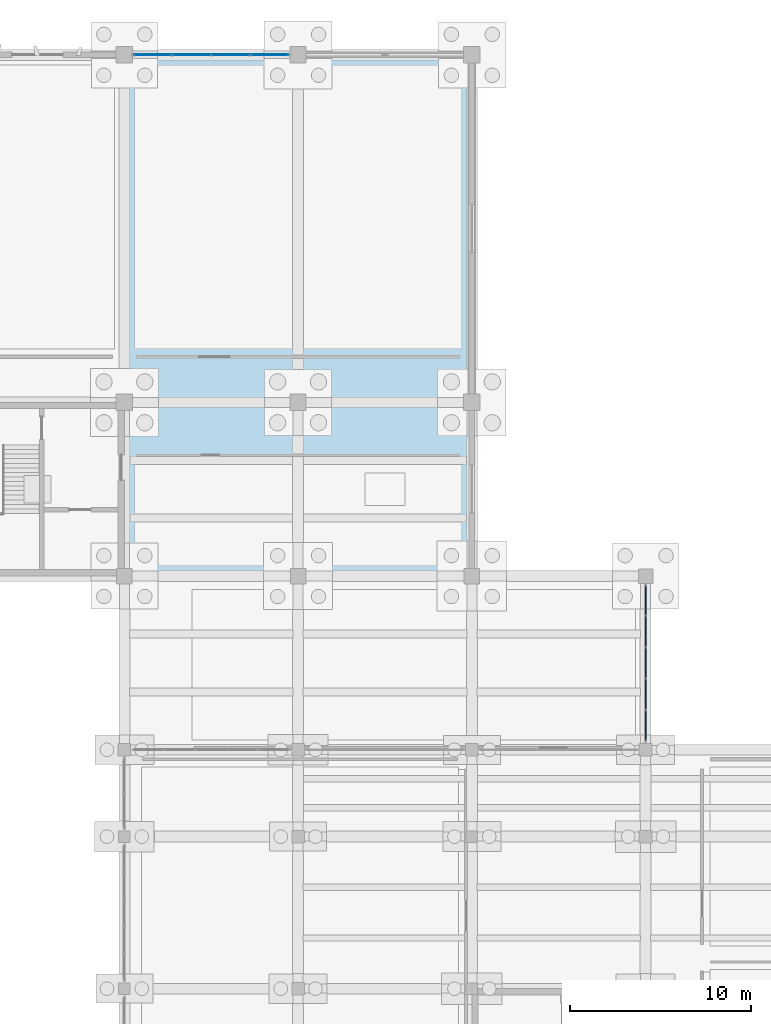
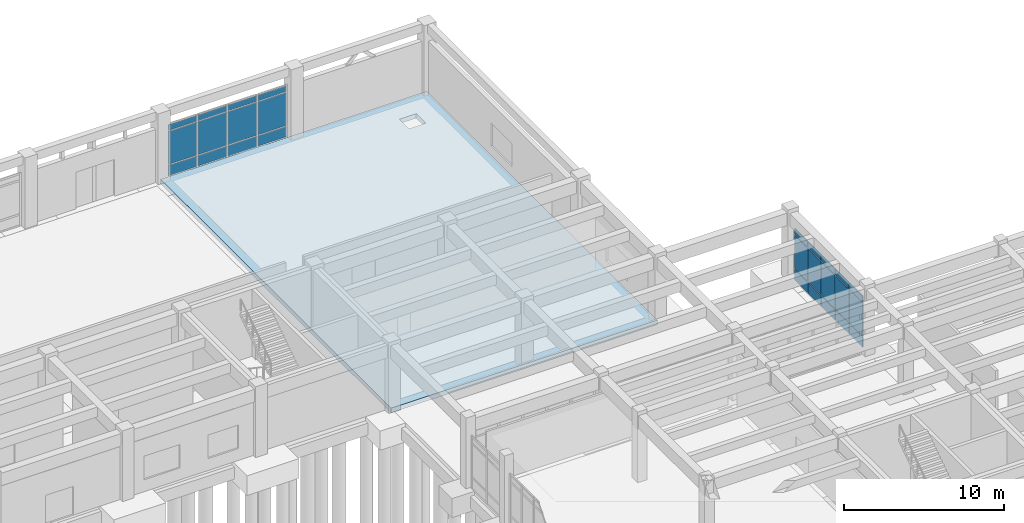
# One storey, part 66 of 102: 27 plates, 1 slab, 2 elements without a shape of their own.
"""IFC4 building model written with IfcOpenShell, lengths in metres."""

from ifc_helpers import new_model, si_unit, direction, frame, origin, origin_2d, place, context, subcontext, project, spatial, polyline, rectangle, outline, extrude, material, layer, layer_set, type_object, element, aggregate, save


model = new_model("IFC4")

# Units and contexts
model_context = context("Model", 3, precision=1e-05, world=origin(), true_north=direction((0.0, 1.0)))
body_context = subcontext(model_context, "Body", "Model", "MODEL_VIEW")
ifc_project = project(units=[si_unit("LENGTHUNIT", "METRE"), si_unit("AREAUNIT", "SQUARE_METRE"), si_unit("VOLUMEUNIT", "CUBIC_METRE"), si_unit("PLANEANGLEUNIT", "RADIAN"), si_unit("MASSUNIT", "GRAM", prefix="KILO")], contexts=[model_context])

# Site, building, storey
site_placement = place(None, origin())
site = spatial("IfcSite", under=ifc_project, at=site_placement, CompositionType="ELEMENT")
building_placement = place(site_placement, origin())
building = spatial("IfcBuilding", under=site, at=building_placement, Name="Kolvemor Railside Polytechnic", CompositionType="ELEMENT")
storey_placement = place(building_placement, origin())
storey = spatial("IfcBuildingStorey", under=building, at=storey_placement, Name="L00", CompositionType="ELEMENT", Elevation=0.0)

# Curtain wall, plates
ifc_material_1 = material(Name="Anodised marine aluminium and laminated low-E glass", Category="aluminium")
ifc_layer_1 = layer(ifc_material_1, 0.179931640625, Name="CW-UNIT-WKS")
ifc_layer_set_1 = layer_set([ifc_layer_1], Name="Anodised marine aluminium and laminated low-E glass")
curtain_wall_type_1 = type_object("IfcCurtainWallType", Name="CW-UNIT-WKS", PredefinedType="USERDEFINED", material=ifc_layer_set_1)
curtain_wall_1_placement = place(storey_placement, origin())
curtain_wall_1 = element("IfcCurtainWall", 1, at=curtain_wall_1_placement, inside=storey, type_object=curtain_wall_type_1, Name="Curtain Wall L00-026", ObjectType="UNITISED CURTAIN WALL", PredefinedType="USERDEFINED")
ifc_material_2 = material(Name="Hurricane-laminated solar-control low-E glass", Category="glass")
ifc_layer_2 = layer(ifc_material_2, 0.048095703125, Name="CWP-GLZ-14")
ifc_layer_set_2 = layer_set([ifc_layer_2], Name="Hurricane-laminated solar-control low-E glass")
plate_type_1 = type_object("IfcPlateType", Name="CWP-GLZ-14", PredefinedType="CURTAIN_PANEL", material=ifc_layer_set_2)
plate_1_placement = place(storey_placement, frame((142.4287109375, 120.0, 0.074951171875), z_axis=(0.0, 0.0, 1.0), x_axis=(-1.0, 0.0, 0.0)))
plate_1 = element("IfcPlate", 2, at=plate_1_placement, type_object=plate_type_1, Name="CW-WKS panel 1.1", PredefinedType="CURTAIN_PANEL", context=body_context, shape_type="SweptSolid", body=[
    extrude(rectangle(XDim=2.052490234375, YDim=0.048095703125, at=origin_2d()), origin(), (0.0, 0.0, 1.0), 0.78759765625),
])
plate_2_placement = place(storey_placement, frame((142.4287109375, 120.0, 0.9375), z_axis=(0.0, 0.0, 1.0), x_axis=(-1.0, 0.0, 0.0)))
plate_2 = element("IfcPlate", 3, at=plate_2_placement, type_object=plate_type_1, Name="CW-WKS panel 1.2", PredefinedType="CURTAIN_PANEL", context=body_context, shape_type="SweptSolid", body=[
    extrude(rectangle(XDim=2.052490234375, YDim=0.048095703125, at=origin_2d()), origin(), (0.0, 0.0, 1.0), 2.514892578125),
])
plate_3_placement = place(storey_placement, frame((142.4287109375, 120.0, 3.527587890625), z_axis=(0.0, 0.0, 1.0), x_axis=(-1.0, 0.0, 0.0)))
plate_3 = element("IfcPlate", 4, at=plate_3_placement, type_object=plate_type_1, Name="CW-WKS panel 1.3", PredefinedType="CURTAIN_PANEL", context=body_context, shape_type="SweptSolid", body=[
    extrude(rectangle(XDim=2.052490234375, YDim=0.048095703125, at=origin_2d()), origin(), (0.0, 0.0, 1.0), 0.4375),
])
plate_4_placement = place(storey_placement, frame((140.282470703125, 120.0, 0.074951171875), z_axis=(0.0, 0.0, 1.0), x_axis=(-1.0, 0.0, 0.0)))
plate_4 = element("IfcPlate", 5, at=plate_4_placement, type_object=plate_type_1, Name="CW-WKS panel 2.1", PredefinedType="CURTAIN_PANEL", context=body_context, shape_type="SweptSolid", body=[
    extrude(rectangle(XDim=2.090087890625, YDim=0.048095703125, at=origin_2d()), origin(), (0.0, 0.0, 1.0), 0.78759765625),
])
plate_5_placement = place(storey_placement, frame((140.282470703125, 120.0, 0.9375), z_axis=(0.0, 0.0, 1.0), x_axis=(-1.0, 0.0, 0.0)))
plate_5 = element("IfcPlate", 6, at=plate_5_placement, type_object=plate_type_1, Name="CW-WKS panel 2.2", PredefinedType="CURTAIN_PANEL", context=body_context, shape_type="SweptSolid", body=[
    extrude(rectangle(XDim=2.090087890625, YDim=0.048095703125, at=origin_2d()), origin(), (0.0, 0.0, 1.0), 2.514892578125),
])
plate_6_placement = place(storey_placement, frame((140.282470703125, 120.0, 3.527587890625), z_axis=(0.0, 0.0, 1.0), x_axis=(-1.0, 0.0, 0.0)))
plate_6 = element("IfcPlate", 7, at=plate_6_placement, type_object=plate_type_1, Name="CW-WKS panel 2.3", PredefinedType="CURTAIN_PANEL", context=body_context, shape_type="SweptSolid", body=[
    extrude(rectangle(XDim=2.090087890625, YDim=0.048095703125, at=origin_2d()), origin(), (0.0, 0.0, 1.0), 0.4375),
])
plate_7_placement = place(storey_placement, frame((138.117431640625, 120.0, 0.074951171875), z_axis=(0.0, 0.0, 1.0), x_axis=(-1.0, 0.0, 0.0)))
plate_7 = element("IfcPlate", 8, at=plate_7_placement, type_object=plate_type_1, Name="CW-WKS panel 3.1", PredefinedType="CURTAIN_PANEL", context=body_context, shape_type="SweptSolid", body=[
    extrude(rectangle(XDim=2.090087890625, YDim=0.048095703125, at=origin_2d()), origin(), (0.0, 0.0, 1.0), 0.78759765625),
])
plate_8_placement = place(storey_placement, frame((138.117431640625, 120.0, 0.9375), z_axis=(0.0, 0.0, 1.0), x_axis=(-1.0, 0.0, 0.0)))
plate_8 = element("IfcPlate", 9, at=plate_8_placement, type_object=plate_type_1, Name="CW-WKS panel 3.2", PredefinedType="CURTAIN_PANEL", context=body_context, shape_type="SweptSolid", body=[
    extrude(rectangle(XDim=2.090087890625, YDim=0.048095703125, at=origin_2d()), origin(), (0.0, 0.0, 1.0), 2.514892578125),
])
plate_9_placement = place(storey_placement, frame((138.117431640625, 120.0, 3.527587890625), z_axis=(0.0, 0.0, 1.0), x_axis=(-1.0, 0.0, 0.0)))
plate_9 = element("IfcPlate", 10, at=plate_9_placement, type_object=plate_type_1, Name="CW-WKS panel 3.3", PredefinedType="CURTAIN_PANEL", context=body_context, shape_type="SweptSolid", body=[
    extrude(rectangle(XDim=2.090087890625, YDim=0.048095703125, at=origin_2d()), origin(), (0.0, 0.0, 1.0), 0.4375),
])
plate_10_placement = place(storey_placement, frame((135.97119140625, 120.0, 0.074951171875), z_axis=(0.0, 0.0, 1.0), x_axis=(-1.0, 0.0, 0.0)))
plate_10 = element("IfcPlate", 11, at=plate_10_placement, type_object=plate_type_1, Name="CW-WKS panel 4.1", PredefinedType="CURTAIN_PANEL", context=body_context, shape_type="SweptSolid", body=[
    extrude(rectangle(XDim=2.052490234375, YDim=0.048095703125, at=origin_2d()), origin(), (0.0, 0.0, 1.0), 0.78759765625),
])
plate_11_placement = place(storey_placement, frame((135.97119140625, 120.0, 0.9375), z_axis=(0.0, 0.0, 1.0), x_axis=(-1.0, 0.0, 0.0)))
plate_11 = element("IfcPlate", 12, at=plate_11_placement, type_object=plate_type_1, Name="CW-WKS panel 4.2", PredefinedType="CURTAIN_PANEL", context=body_context, shape_type="SweptSolid", body=[
    extrude(rectangle(XDim=2.052490234375, YDim=0.048095703125, at=origin_2d()), origin(), (0.0, 0.0, 1.0), 2.514892578125),
])
plate_12_placement = place(storey_placement, frame((135.97119140625, 120.0, 3.527587890625), z_axis=(0.0, 0.0, 1.0), x_axis=(-1.0, 0.0, 0.0)))
plate_12 = element("IfcPlate", 13, at=plate_12_placement, type_object=plate_type_1, Name="CW-WKS panel 4.3", PredefinedType="CURTAIN_PANEL", context=body_context, shape_type="SweptSolid", body=[
    extrude(rectangle(XDim=2.052490234375, YDim=0.048095703125, at=origin_2d()), origin(), (0.0, 0.0, 1.0), 0.4375),
])
aggregate(curtain_wall_1, [plate_1, plate_2, plate_3, plate_4, plate_5, plate_6, plate_7, plate_8, plate_9, plate_10, plate_11, plate_12])

ifc_material_3 = material(Name="Anodised marine aluminium and laminated low-E glass", Category="aluminium")
ifc_layer_3 = layer(ifc_material_3, 0.179931640625, Name="CW-UNIT-STD")
ifc_layer_set_3 = layer_set([ifc_layer_3], Name="Anodised marine aluminium and laminated low-E glass")
curtain_wall_type_2 = type_object("IfcCurtainWallType", Name="CW-UNIT-STD", PredefinedType="USERDEFINED", material=ifc_layer_set_3)
curtain_wall_2_placement = place(storey_placement, origin())
curtain_wall_2 = element("IfcCurtainWall", 14, at=curtain_wall_2_placement, inside=storey, type_object=curtain_wall_type_2, Name="Curtain Wall L00-035", ObjectType="UNITISED CURTAIN WALL", PredefinedType="USERDEFINED")
ifc_material_4 = material(Name="Hurricane-laminated solar-control low-E glass", Category="glass")
ifc_layer_4 = layer(ifc_material_4, 0.06396484375, Name="CWP-GLZ-22")
ifc_layer_set_4 = layer_set([ifc_layer_4], Name="Hurricane-laminated solar-control low-E glass")
plate_type_2 = type_object("IfcPlateType", Name="CWP-GLZ-22", PredefinedType="CURTAIN_PANEL", material=ifc_layer_set_4)
plate_13_placement = place(storey_placement, frame((163.199951171875, 82.9521484375, 0.06494140625), z_axis=(0.0, 0.0, 1.0), x_axis=(0.0, 1.0, 0.0)))
plate_13 = element("IfcPlate", 15, at=plate_13_placement, type_object=plate_type_2, Name="CW-STD panel 1.1", PredefinedType="CURTAIN_PANEL", context=body_context, shape_type="SweptSolid", body=[
    extrude(rectangle(XDim=1.634521484375, YDim=0.06396484375, at=origin_2d()), origin(), (0.0, 0.0, 1.0), 0.802490234375),
])
plate_14_placement = place(storey_placement, frame((163.199951171875, 82.9521484375, 0.9326171875), z_axis=(0.0, 0.0, 1.0), x_axis=(0.0, 1.0, 0.0)))
plate_14 = element("IfcPlate", 16, at=plate_14_placement, type_object=plate_type_2, Name="CW-STD panel 1.2", PredefinedType="CURTAIN_PANEL", context=body_context, shape_type="SweptSolid", body=[
    extrude(rectangle(XDim=1.634521484375, YDim=0.06396484375, at=origin_2d()), origin(), (0.0, 0.0, 1.0), 2.52490234375),
])
plate_15_placement = place(storey_placement, frame((163.199951171875, 82.9521484375, 3.5224609375), z_axis=(0.0, 0.0, 1.0), x_axis=(0.0, 1.0, 0.0)))
plate_15 = element("IfcPlate", 17, at=plate_15_placement, type_object=plate_type_2, Name="CW-STD panel 1.3", PredefinedType="CURTAIN_PANEL", context=body_context, shape_type="SweptSolid", body=[
    extrude(rectangle(XDim=1.634521484375, YDim=0.06396484375, at=origin_2d()), origin(), (0.0, 0.0, 1.0), 0.452392578125),
])
plate_16_placement = place(storey_placement, frame((163.199951171875, 84.66796875, 0.06494140625), z_axis=(0.0, 0.0, 1.0), x_axis=(0.0, 1.0, 0.0)))
plate_16 = element("IfcPlate", 18, at=plate_16_placement, type_object=plate_type_2, Name="CW-STD panel 2.1", PredefinedType="CURTAIN_PANEL", context=body_context, shape_type="SweptSolid", body=[
    extrude(rectangle(XDim=1.6669921875, YDim=0.06396484375, at=origin_2d()), origin(), (0.0, 0.0, 1.0), 0.802490234375),
])
plate_17_placement = place(storey_placement, frame((163.199951171875, 84.66796875, 0.9326171875), z_axis=(0.0, 0.0, 1.0), x_axis=(0.0, 1.0, 0.0)))
plate_17 = element("IfcPlate", 19, at=plate_17_placement, type_object=plate_type_2, Name="CW-STD panel 2.2", PredefinedType="CURTAIN_PANEL", context=body_context, shape_type="SweptSolid", body=[
    extrude(rectangle(XDim=1.6669921875, YDim=0.06396484375, at=origin_2d()), origin(), (0.0, 0.0, 1.0), 2.52490234375),
])
plate_18_placement = place(storey_placement, frame((163.199951171875, 84.66796875, 3.5224609375), z_axis=(0.0, 0.0, 1.0), x_axis=(0.0, 1.0, 0.0)))
plate_18 = element("IfcPlate", 20, at=plate_18_placement, type_object=plate_type_2, Name="CW-STD panel 2.3", PredefinedType="CURTAIN_PANEL", context=body_context, shape_type="SweptSolid", body=[
    extrude(rectangle(XDim=1.6669921875, YDim=0.06396484375, at=origin_2d()), origin(), (0.0, 0.0, 1.0), 0.452392578125),
])
plate_19_placement = place(storey_placement, frame((163.199951171875, 86.39990234375, 0.06494140625), z_axis=(0.0, 0.0, 1.0), x_axis=(0.0, 1.0, 0.0)))
plate_19 = element("IfcPlate", 21, at=plate_19_placement, type_object=plate_type_2, Name="CW-STD panel 3.1", PredefinedType="CURTAIN_PANEL", context=body_context, shape_type="SweptSolid", body=[
    extrude(rectangle(XDim=1.6669921875, YDim=0.06396484375, at=origin_2d()), origin(), (0.0, 0.0, 1.0), 0.802490234375),
])
plate_20_placement = place(storey_placement, frame((163.199951171875, 86.39990234375, 0.9326171875), z_axis=(0.0, 0.0, 1.0), x_axis=(0.0, 1.0, 0.0)))
plate_20 = element("IfcPlate", 22, at=plate_20_placement, type_object=plate_type_2, Name="CW-STD panel 3.2", PredefinedType="CURTAIN_PANEL", context=body_context, shape_type="SweptSolid", body=[
    extrude(rectangle(XDim=1.6669921875, YDim=0.06396484375, at=origin_2d()), origin(), (0.0, 0.0, 1.0), 2.52490234375),
])
plate_21_placement = place(storey_placement, frame((163.199951171875, 86.39990234375, 3.5224609375), z_axis=(0.0, 0.0, 1.0), x_axis=(0.0, 1.0, 0.0)))
plate_21 = element("IfcPlate", 23, at=plate_21_placement, type_object=plate_type_2, Name="CW-STD panel 3.3", PredefinedType="CURTAIN_PANEL", context=body_context, shape_type="SweptSolid", body=[
    extrude(rectangle(XDim=1.6669921875, YDim=0.06396484375, at=origin_2d()), origin(), (0.0, 0.0, 1.0), 0.452392578125),
])
plate_22_placement = place(storey_placement, frame((163.199951171875, 88.132080078125, 0.06494140625), z_axis=(0.0, 0.0, 1.0), x_axis=(0.0, 1.0, 0.0)))
plate_22 = element("IfcPlate", 24, at=plate_22_placement, type_object=plate_type_2, Name="CW-STD panel 4.1", PredefinedType="CURTAIN_PANEL", context=body_context, shape_type="SweptSolid", body=[
    extrude(rectangle(XDim=1.6669921875, YDim=0.06396484375, at=origin_2d()), origin(), (0.0, 0.0, 1.0), 0.802490234375),
])
plate_23_placement = place(storey_placement, frame((163.199951171875, 88.132080078125, 0.9326171875), z_axis=(0.0, 0.0, 1.0), x_axis=(0.0, 1.0, 0.0)))
plate_23 = element("IfcPlate", 25, at=plate_23_placement, type_object=plate_type_2, Name="CW-STD panel 4.2", PredefinedType="CURTAIN_PANEL", context=body_context, shape_type="SweptSolid", body=[
    extrude(rectangle(XDim=1.6669921875, YDim=0.06396484375, at=origin_2d()), origin(), (0.0, 0.0, 1.0), 2.52490234375),
])
plate_24_placement = place(storey_placement, frame((163.199951171875, 88.132080078125, 3.5224609375), z_axis=(0.0, 0.0, 1.0), x_axis=(0.0, 1.0, 0.0)))
plate_24 = element("IfcPlate", 26, at=plate_24_placement, type_object=plate_type_2, Name="CW-STD panel 4.3", PredefinedType="CURTAIN_PANEL", context=body_context, shape_type="SweptSolid", body=[
    extrude(rectangle(XDim=1.6669921875, YDim=0.06396484375, at=origin_2d()), origin(), (0.0, 0.0, 1.0), 0.452392578125),
])
plate_25_placement = place(storey_placement, frame((163.199951171875, 89.84765625, 0.06494140625), z_axis=(0.0, 0.0, 1.0), x_axis=(0.0, 1.0, 0.0)))
plate_25 = element("IfcPlate", 27, at=plate_25_placement, type_object=plate_type_2, Name="CW-STD panel 5.1", PredefinedType="CURTAIN_PANEL", context=body_context, shape_type="SweptSolid", body=[
    extrude(rectangle(XDim=1.634521484375, YDim=0.06396484375, at=origin_2d()), origin(), (0.0, 0.0, 1.0), 0.802490234375),
])
plate_26_placement = place(storey_placement, frame((163.199951171875, 89.84765625, 0.9326171875), z_axis=(0.0, 0.0, 1.0), x_axis=(0.0, 1.0, 0.0)))
plate_26 = element("IfcPlate", 28, at=plate_26_placement, type_object=plate_type_2, Name="CW-STD panel 5.2", PredefinedType="CURTAIN_PANEL", context=body_context, shape_type="SweptSolid", body=[
    extrude(rectangle(XDim=1.634521484375, YDim=0.06396484375, at=origin_2d()), origin(), (0.0, 0.0, 1.0), 2.52490234375),
])
plate_27_placement = place(storey_placement, frame((163.199951171875, 89.84765625, 3.5224609375), z_axis=(0.0, 0.0, 1.0), x_axis=(0.0, 1.0, 0.0)))
plate_27 = element("IfcPlate", 29, at=plate_27_placement, type_object=plate_type_2, Name="CW-STD panel 5.3", PredefinedType="CURTAIN_PANEL", context=body_context, shape_type="SweptSolid", body=[
    extrude(rectangle(XDim=1.634521484375, YDim=0.06396484375, at=origin_2d()), origin(), (0.0, 0.0, 1.0), 0.452392578125),
])
aggregate(curtain_wall_2, [plate_13, plate_14, plate_15, plate_16, plate_17, plate_18, plate_19, plate_20, plate_21, plate_22, plate_23, plate_24, plate_25, plate_26, plate_27])

# Slab
ifc_material_5 = material(Name="Concrete C40/50", Category="concrete")
ifc_layer_5 = layer(ifc_material_5, 0.35009765625, Name="SLB-BASE-WKS")
ifc_layer_set_5 = layer_set([ifc_layer_5], Name="Concrete C40/50")
slab_type = type_object("IfcSlabType", Name="SLB-BASE-WKS", PredefinedType="BASESLAB", material=ifc_layer_set_5)
slab_placement = place(storey_placement, frame((0.0, 0.0, -0.35009765625)))
element("IfcSlab", 30, at=slab_placement, inside=storey, type_object=slab_type, Name="Workshop Base Slab L00-05", PredefinedType="BASESLAB", context=body_context, shape_type="SweptSolid", body=[
    extrude(outline(polyline([(134.39990234375, 91.199951171875), (153.60009765625, 91.199951171875), (153.60009765625, 120.0), (134.39990234375, 120.0), (134.39990234375, 91.199951171875)]), holes=[polyline([(150.60009765625, 117.0), (151.800048828125, 117.0), (151.800048828125, 118.199951171875), (150.60009765625, 118.199951171875), (150.60009765625, 117.0)])]), origin(), (0.0, 0.0, 1.0), 0.35009765625),
])

save(model, "model.ifc")
